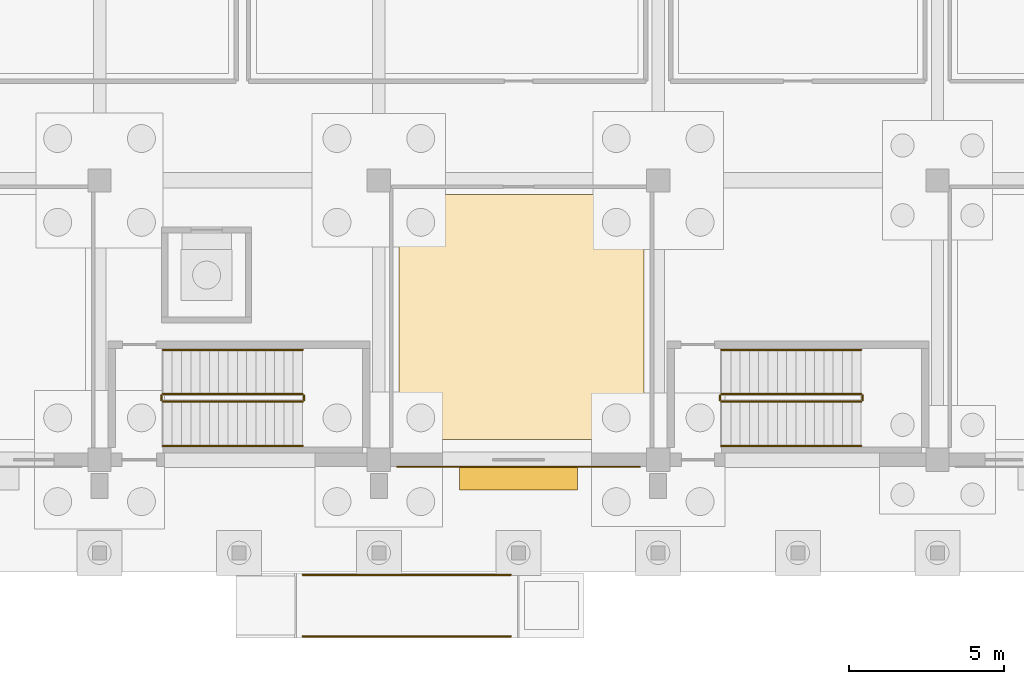
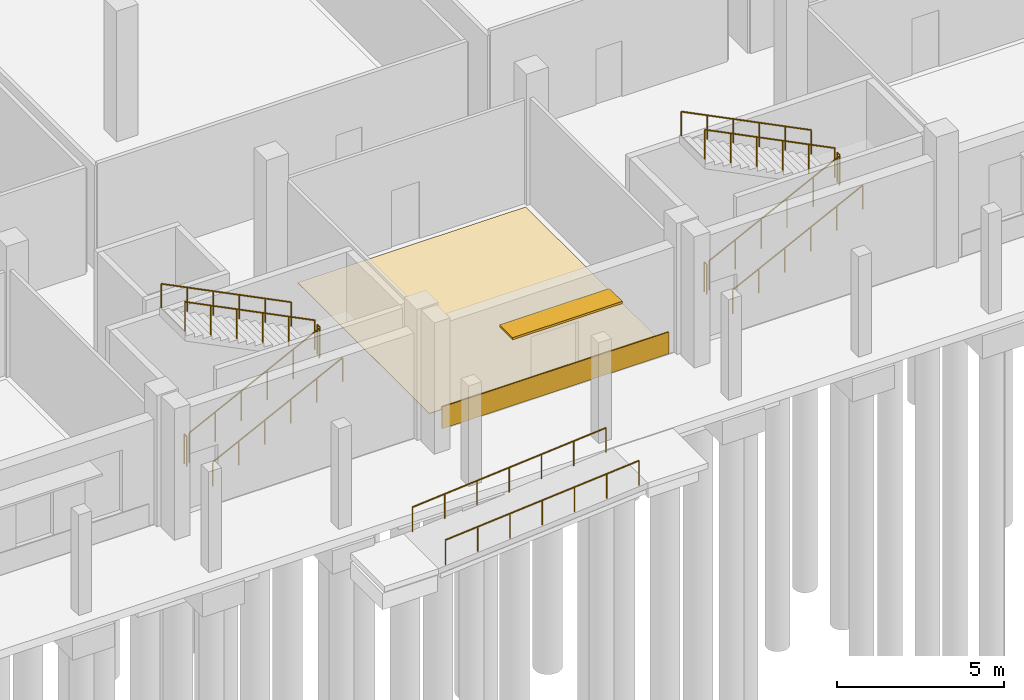
# One storey, part 95 of 112: 14 railings, 2 coverings, 1 shading device.
"""IFC4 building model written with IfcOpenShell, lengths in metres."""

import ifcopenshell
import ifcopenshell.guid

model = None  # the IFC model being written
_history = None  # IfcOwnerHistory: only IFC2X3 demands one
_inside = {}  # id of a spatial element -> (the spatial element, [elements in it])
_under = {}  # id of a project, library or spatial element -> (it, [spatial elements below it])
_declared = {}  # id of a project -> (the project, [libraries it declares])
_typed = {}  # id of a type object -> (the type object, [elements of that type])
_made_of = {}  # id of a material, layer set ... -> (it, [elements and type objects made of it])


def new_model(schema):
    """Start an empty IFC model of exactly this schema.

    Asked for "IFC4X3", IfcOpenShell would pick the latest addendum, in which some entities
    have other attributes; the version numbers below select the first issue.
    IFC2X3 requires an IfcOwnerHistory on every rooted entity: one is made here for all.
    """
    global model, _history
    if schema == "IFC4X3":
        model = ifcopenshell.file(schema_version=(4, 3, 0, 0))
    else:
        model = ifcopenshell.file(schema=schema)
    _inside.clear()
    _under.clear()
    _declared.clear()
    _typed.clear()
    _made_of.clear()
    _history = None
    if model.schema == "IFC2X3":
        org = make("IfcOrganization", Name="unknown")
        user = make(
            "IfcPersonAndOrganization",
            ThePerson=make("IfcPerson", FamilyName="unknown"),
            TheOrganization=org,
        )
        app = make(
            "IfcApplication",
            ApplicationDeveloper=org,
            Version="unknown",
            ApplicationFullName="unknown",
            ApplicationIdentifier="unknown",
        )
        _history = make(
            "IfcOwnerHistory",
            OwningUser=user,
            OwningApplication=app,
            ChangeAction="ADDED",
            CreationDate=0,
        )
    return model


def make(cls, **values):
    """One entity of the class cls with the attributes given. An attribute that is None is left unset."""
    return model.create_entity(
        cls, **{name: value for name, value in values.items() if value is not None}
    )


def rooted(cls, **values):
    """An entity with a GlobalId (a new one), such as an element, a storey or a relation."""
    return make(cls, GlobalId=ifcopenshell.guid.new(), OwnerHistory=_history, **values)


def si_unit(unit_type, name, prefix=None):
    """IfcSIUnit, for example si_unit("LENGTHUNIT", "METRE", prefix="MILLI")."""
    return make("IfcSIUnit", UnitType=unit_type, Prefix=prefix, Name=name)


def assignment(units):
    """IfcUnitAssignment: the units of a project."""
    return None if units is None else make("IfcUnitAssignment", Units=units)


def point(xyz):
    """IfcCartesianPoint."""
    return None if xyz is None else make("IfcCartesianPoint", Coordinates=xyz)


def direction(xyz):
    """IfcDirection."""
    return None if xyz is None else make("IfcDirection", DirectionRatios=xyz)


def frame(location, z_axis=None, x_axis=None):
    """IfcAxis2Placement3D, a coordinate frame: its origin and axes. An axis left out is left unset."""
    return make(
        "IfcAxis2Placement3D",
        Location=point(location),
        Axis=direction(z_axis),
        RefDirection=direction(x_axis),
    )


def frame_2d(location, x_axis=None):
    """IfcAxis2Placement2D, a coordinate frame in the plane: its origin and x axis."""
    return make(
        "IfcAxis2Placement2D", Location=point(location), RefDirection=direction(x_axis)
    )


def origin():
    """The frame at (0, 0, 0) with its axes left unset."""
    return frame((0.0, 0.0, 0.0))


def origin_2d():
    """The frame at (0, 0) in the plane with its x axis left unset."""
    return frame_2d((0.0, 0.0))


def place(relative_to, where):
    """IfcLocalPlacement: puts the frame where relative to a parent placement (None: the world)."""
    return make(
        "IfcLocalPlacement", PlacementRelTo=relative_to, RelativePlacement=where
    )


def context(
    kind, dimensions, precision=None, world=None, true_north=None, identifier=None
):
    """IfcGeometricRepresentationContext, for example the 3D "Model" context."""
    return make(
        "IfcGeometricRepresentationContext",
        ContextIdentifier=identifier,
        ContextType=kind,
        CoordinateSpaceDimension=dimensions,
        Precision=precision,
        WorldCoordinateSystem=world,
        TrueNorth=true_north,
    )


def subcontext(parent, identifier, kind, view, scale=None):
    """IfcGeometricRepresentationSubContext, for example "Body" below "Model"."""
    return make(
        "IfcGeometricRepresentationSubContext",
        ContextIdentifier=identifier,
        ContextType=kind,
        ParentContext=parent,
        TargetScale=scale,
        TargetView=view,
    )


def project(units=None, contexts=None):
    """IfcProject with its units and contexts."""
    return rooted(
        "IfcProject",
        Name="project",
        RepresentationContexts=contexts,
        UnitsInContext=assignment(units),
    )


def spatial(cls, under=None, at=None, **own):
    """A site, building, storey or space (cls), placed at a placement, below another one or the project."""
    s = rooted(cls, ObjectPlacement=at, **own)
    if under is not None:
        _under.setdefault(under.id(), (under, []))[1].append(s)
    return s


def polyline(points):
    """IfcPolyline through the points."""
    return make("IfcPolyline", Points=[point(p) for p in points])


def profile(cls, at=None, kind="AREA", **sizes):
    """A parametric profile (cls). Its sizes go by their IFC names, for example OverallWidth=200.0."""
    return make(cls, ProfileType=kind, Position=at, **sizes)


def rectangle(**sizes):
    """IfcRectangleProfileDef."""
    return profile("IfcRectangleProfileDef", **sizes)


def circle(**sizes):
    """IfcCircleProfileDef."""
    return profile("IfcCircleProfileDef", **sizes)


def outline(outer, holes=None, kind="AREA"):
    """IfcArbitraryClosedProfileDef: a profile drawn as a closed curve; with holes, ...WithVoids."""
    if holes is None:
        return make("IfcArbitraryClosedProfileDef", ProfileType=kind, OuterCurve=outer)
    return make(
        "IfcArbitraryProfileDefWithVoids",
        ProfileType=kind,
        OuterCurve=outer,
        InnerCurves=holes,
    )


def extrude(swept, where, along, depth):
    """IfcExtrudedAreaSolid: the profile swept, set in the frame where, extruded along a direction by depth."""
    return make(
        "IfcExtrudedAreaSolid",
        SweptArea=swept,
        Position=where,
        ExtrudedDirection=direction(along),
        Depth=depth,
    )


def shape(context_of_items, identifier, shape_type, items):
    """IfcShapeRepresentation: the items that make up one representation, for example the "Body"."""
    return make(
        "IfcShapeRepresentation",
        ContextOfItems=context_of_items,
        RepresentationIdentifier=identifier,
        RepresentationType=shape_type,
        Items=items,
    )


def material(Name=None, Category=None):
    """IfcMaterial."""
    return make("IfcMaterial", Name=Name, Category=Category)


def layer(
    of_material, thickness, ventilated=None, Name=None, Category=None, Priority=None
):
    """IfcMaterialLayer: one layer of a wall or slab, of a material (None: an air gap)."""
    return make(
        "IfcMaterialLayer",
        Material=of_material,
        LayerThickness=thickness,
        IsVentilated=ventilated,
        Name=Name,
        Category=Category,
        Priority=Priority,
    )


def layer_set(layers, Name=None):
    """IfcMaterialLayerSet."""
    return make("IfcMaterialLayerSet", MaterialLayers=layers, LayerSetName=Name)


def made_of(thing, what):
    """Note that an element or type object is made of a material, layer set ...; save() writes the relation."""
    if what is not None:
        _made_of.setdefault(what.id(), (what, []))[1].append(thing)
    return thing


def type_object(cls, material=None, **own):
    """A type object (cls), such as IfcWallType, which elements share."""
    return made_of(rooted(cls, **own), material)


def element(
    cls,
    number,
    at=None,
    inside=None,
    cuts=None,
    type_object=None,
    material=None,
    context=None,
    identifier="Body",
    shape_type=None,
    held_by="IfcProductDefinitionShape",
    body=None,
    shapes=None,
    **own,
):
    """One element of the class cls, such as IfcWall. Its Tag is "e" and its number.

    at: its placement. inside: the storey or other place that contains it. cuts: it is an
    opening in that element (IfcRelVoidsElement). A single representation is given by context,
    identifier, shape_type and body (its items); several are given by shapes. held_by: the class
    of the entity that holds the representations. save() writes the other relations.
    """
    e = rooted(cls, Tag="e%d" % number, ObjectPlacement=at, **own)
    if body is not None:
        shapes = [shape(context, identifier, shape_type, body)]
    if shapes is not None:
        e.Representation = make(held_by, Representations=shapes)
    if inside is not None:
        _inside.setdefault(inside.id(), (inside, []))[1].append(e)
    if cuts is not None:
        rooted(
            "IfcRelVoidsElement", RelatingBuildingElement=cuts, RelatedOpeningElement=e
        )
    if type_object is not None:
        _typed.setdefault(type_object.id(), (type_object, []))[1].append(e)
    return made_of(e, material)


def aggregate(whole, parts):
    """IfcRelAggregates: a whole, such as a stair, and the parts it consists of."""
    return rooted("IfcRelAggregates", RelatingObject=whole, RelatedObjects=parts)


def save(model, path):
    """Write the relations noted so far, then the file.

    IfcRelAggregates (storeys below a building ...), IfcRelContainedInSpatialStructure (elements
    in a storey), IfcRelDefinesByType, IfcRelAssociatesMaterial and IfcRelDeclares: one each for
    every whole, place, type object, material and project.
    """
    for whole, parts in _under.values():
        aggregate(whole, parts)
    for where, things in _inside.values():
        rooted(
            "IfcRelContainedInSpatialStructure",
            RelatedElements=things,
            RelatingStructure=where,
        )
    for kind, things in _typed.values():
        rooted("IfcRelDefinesByType", RelatedObjects=things, RelatingType=kind)
    for what, things in _made_of.values():
        rooted("IfcRelAssociatesMaterial", RelatedObjects=things, RelatingMaterial=what)
    for by, libraries in _declared.values():
        rooted("IfcRelDeclares", RelatingContext=by, RelatedDefinitions=libraries)
    model.write(path)


model = new_model("IFC4")

# Units and contexts
model_context = context("Model", 3, precision=1e-05, world=origin(), true_north=direction((0.0, 1.0)))
body_context = subcontext(model_context, "Body", "Model", "MODEL_VIEW")
ifc_project = project(units=[si_unit("LENGTHUNIT", "METRE"), si_unit("AREAUNIT", "SQUARE_METRE"), si_unit("VOLUMEUNIT", "CUBIC_METRE"), si_unit("PLANEANGLEUNIT", "RADIAN"), si_unit("MASSUNIT", "GRAM", prefix="KILO")], contexts=[model_context])

# Site, building, storey
site_placement = place(None, origin())
site = spatial("IfcSite", under=ifc_project, at=site_placement, CompositionType="ELEMENT")
building_placement = place(site_placement, origin())
building = spatial("IfcBuilding", under=site, at=building_placement, Name="Tharagai Park Tramway Depot", CompositionType="ELEMENT")
storey_placement = place(building_placement, origin())
storey = spatial("IfcBuildingStorey", under=building, at=storey_placement, Name="L00", CompositionType="ELEMENT", Elevation=0.0)

# Coverings
ifc_material_1 = material(Name="Charnockite stone", Category="masonry")
ifc_layer_1 = layer(ifc_material_1, 0.0400390625)
ifc_layer_set_1 = layer_set([ifc_layer_1], Name="Charnockite stone")
covering_type_1 = type_object("IfcCoveringType", Name="CV-02", PredefinedType="CLADDING", material=ifc_layer_set_1)
covering_1_placement = place(storey_placement, frame((76.5, -0.22509765625, 0.02001953125), z_axis=(0.0, 0.0, 1.0), x_axis=(1.0, 0.0, 0.0)))
element("IfcCovering", 1, at=covering_1_placement, inside=storey, type_object=covering_type_1, Name="Charnockite Plinth Cladding CV-02 #5", PredefinedType="CLADDING", context=body_context, shape_type="SweptSolid", body=[
    extrude(rectangle(XDim=7.85400390625, YDim=0.0400390625, at=origin_2d()), origin(), (0.0, 0.0, 1.0), 0.800048828125),
])
ifc_material_2 = material(Name="Terracotta floor tile", Category="masonry")
ifc_layer_2 = layer(ifc_material_2, 0.02001953125)
ifc_layer_set_2 = layer_set([ifc_layer_2], Name="Terracotta floor tile")
covering_type_2 = type_object("IfcCoveringType", Name="FN-01", PredefinedType="FLOORING", material=ifc_layer_set_2)
covering_2_placement = place(storey_placement, origin())
element("IfcCovering", 2, at=covering_2_placement, inside=storey, type_object=covering_type_2, Name="Occupational First Aid and Medical Suite Floor Finish", PredefinedType="FLOORING", context=body_context, shape_type="SweptSolid", body=[
    extrude(outline(polyline([(72.64990234375, 0.64990234375), (80.550048828125, 0.64990234375), (80.550048828125, 8.550048828125), (72.64990234375, 8.550048828125), (72.64990234375, 0.64990234375)])), origin(), (0.0, 0.0, 1.0), 0.02001953125),
])

# Railings
ifc_material_3 = material(Name="Galvanised steel", Category="steel")
railing_type_1 = type_object("IfcRailingType", Name="GR-02", PredefinedType="HANDRAIL", material=ifc_material_3)
for number, where, name in (
    (3, (69.550048828125, -3.7099609375, -0.5791015625), "Ramp RMP-02 Handrail L"),
    (4, (69.550048828125, -5.68994140625, -0.5791015625), "Ramp RMP-02 Handrail R"),
):
    element("IfcRailing", number, at=place(storey_placement, frame(where)), inside=storey, type_object=railing_type_1, Name=name, PredefinedType="HANDRAIL", context=body_context, shape_type="SweptSolid", body=[
        extrude(circle(Radius=0.02392578125, at=origin_2d()), frame((0.0, 0.0, 0.89599609375), z_axis=(0.996545507804, 0.0, 0.083048485091), x_axis=(0.0, 1.0, 0.0)), (0.0, 0.0, 1.0), 6.72314453125),
        extrude(circle(Radius=0.02099609375, at=origin_2d()), origin(), (0.0, 0.0, 1.0), 0.871826171875),
        extrude(circle(Radius=0.02099609375, at=origin_2d()), frame((1.11669921875, 0.0, 0.093017578125)), (0.0, 0.0, 1.0), 0.871826171875),
        extrude(circle(Radius=0.02099609375, at=origin_2d()), frame((2.2333984375, 0.0, 0.18603515625)), (0.0, 0.0, 1.0), 0.871826171875),
        extrude(circle(Radius=0.02099609375, at=origin_2d()), frame((3.35009765625, 0.0, 0.279296875)), (0.0, 0.0, 1.0), 0.871826171875),
        extrude(circle(Radius=0.02099609375, at=origin_2d()), frame((4.466552734375, 0.0, 0.372314453125)), (0.0, 0.0, 1.0), 0.871826171875),
        extrude(circle(Radius=0.02099609375, at=origin_2d()), frame((5.583251953125, 0.0, 0.46533203125)), (0.0, 0.0, 1.0), 0.871826171875),
        extrude(circle(Radius=0.02099609375, at=origin_2d()), frame((6.699951171875, 0.0, 0.558349609375)), (0.0, 0.0, 1.0), 0.871826171875),
    ])
railing_type_2 = type_object("IfcRailingType", Name="HR-02", PredefinedType="GUARDRAIL", material=ifc_material_3)
railing_1_placement = place(storey_placement, frame((65.0400390625, 1.8701171875, 0.14990234375)))
element("IfcRailing", 5, at=railing_1_placement, inside=storey, type_object=railing_type_2, Name="L00 ST-04 stair guard 1", PredefinedType="GUARDRAIL", context=body_context, shape_type="SweptSolid", body=[
    extrude(circle(Radius=0.02392578125, at=origin_2d()), frame((0.0, 0.0, 1.076171875), z_axis=(0.894427191, 0.0, 0.4472135955), x_axis=(0.0, 1.0, 0.0)), (0.0, 0.0, 1.0), 5.03125),
    extrude(circle(Radius=0.02099609375, at=origin_2d()), origin(), (0.0, 0.0, 1.0), 1.052001953125),
    extrude(circle(Radius=0.02099609375, at=origin_2d()), frame((0.89990234375, 0.0, 0.449951171875)), (0.0, 0.0, 1.0), 1.052001953125),
    extrude(circle(Radius=0.02099609375, at=origin_2d()), frame((1.800048828125, 0.0, 0.89990234375)), (0.0, 0.0, 1.0), 1.052001953125),
    extrude(circle(Radius=0.02099609375, at=origin_2d()), frame((2.699951171875, 0.0, 1.35009765625)), (0.0, 0.0, 1.0), 1.052001953125),
    extrude(circle(Radius=0.02099609375, at=origin_2d()), frame((3.60009765625, 0.0, 1.800048828125)), (0.0, 0.0, 1.0), 1.052001953125),
    extrude(circle(Radius=0.02099609375, at=origin_2d()), frame((4.5, 0.0, 2.25)), (0.0, 0.0, 1.0), 1.052001953125),
])
railing_2_placement = place(storey_placement, frame((69.590087890625, 1.919921875, 2.39990234375)))
element("IfcRailing", 6, at=railing_2_placement, inside=storey, type_object=railing_type_2, Name="L00 ST-04 stair guard 2", PredefinedType="GUARDRAIL", context=body_context, shape_type="SweptSolid", body=[
    extrude(circle(Radius=0.02392578125, at=origin_2d()), frame((0.0, 0.0, 1.076171875), z_axis=(0.0, 1.0, 0.0), x_axis=(-1.0, 0.0, 0.0)), (0.0, 0.0, 1.0), 0.150146484375),
    extrude(circle(Radius=0.02099609375, at=origin_2d()), origin(), (0.0, 0.0, 1.0), 1.052001953125),
    extrude(circle(Radius=0.02099609375, at=origin_2d()), frame((0.0, 0.150146484375, 0.0)), (0.0, 0.0, 1.0), 1.052001953125),
])
railing_3_placement = place(storey_placement, frame((69.5400390625, 2.1201171875, 2.550048828125)))
element("IfcRailing", 7, at=railing_3_placement, inside=storey, type_object=railing_type_2, Name="L00 ST-04 stair guard 3", PredefinedType="GUARDRAIL", context=body_context, shape_type="SweptSolid", body=[
    extrude(circle(Radius=0.02392578125, at=origin_2d()), frame((0.0, 0.0, 1.076171875), z_axis=(-0.894427191, 0.0, 0.4472135955), x_axis=(0.0, -1.0, 0.0)), (0.0, 0.0, 1.0), 5.03125),
    extrude(circle(Radius=0.02099609375, at=origin_2d()), origin(), (0.0, 0.0, 1.0), 1.052001953125),
    extrude(circle(Radius=0.02099609375, at=origin_2d()), frame((-0.89990234375, 0.0, 0.449951171875)), (0.0, 0.0, 1.0), 1.052001953125),
    extrude(circle(Radius=0.02099609375, at=origin_2d()), frame((-1.800048828125, 0.0, 0.89990234375)), (0.0, 0.0, 1.0), 1.052001953125),
    extrude(circle(Radius=0.02099609375, at=origin_2d()), frame((-2.699951171875, 0.0, 1.35009765625)), (0.0, 0.0, 1.0), 1.052001953125),
    extrude(circle(Radius=0.02099609375, at=origin_2d()), frame((-3.60009765625, 0.0, 1.800048828125)), (0.0, 0.0, 1.0), 1.052001953125),
    extrude(circle(Radius=0.02099609375, at=origin_2d()), frame((-4.5, 0.0, 2.25)), (0.0, 0.0, 1.0), 1.052001953125),
])
railing_4_placement = place(storey_placement, frame((64.989990234375, 1.919921875, 0.0)))
element("IfcRailing", 8, at=railing_4_placement, inside=storey, type_object=railing_type_2, Name="L00 ST-04 stair guard 4", PredefinedType="GUARDRAIL", context=body_context, shape_type="SweptSolid", body=[
    extrude(circle(Radius=0.02392578125, at=origin_2d()), frame((0.0, 0.0, 1.076171875), z_axis=(0.0, 1.0, 0.0), x_axis=(-1.0, 0.0, 0.0)), (0.0, 0.0, 1.0), 0.150146484375),
    extrude(circle(Radius=0.02099609375, at=origin_2d()), origin(), (0.0, 0.0, 1.0), 1.052001953125),
    extrude(circle(Radius=0.02099609375, at=origin_2d()), frame((0.0, 0.150146484375, 0.0)), (0.0, 0.0, 1.0), 1.052001953125),
])
railing_5_placement = place(storey_placement, frame((83.0400390625, 1.8701171875, 0.14990234375)))
element("IfcRailing", 9, at=railing_5_placement, inside=storey, type_object=railing_type_2, Name="L00 ST-05 stair guard 1", PredefinedType="GUARDRAIL", context=body_context, shape_type="SweptSolid", body=[
    extrude(circle(Radius=0.02392578125, at=origin_2d()), frame((0.0, 0.0, 1.076171875), z_axis=(0.894427191, 0.0, 0.4472135955), x_axis=(0.0, 1.0, 0.0)), (0.0, 0.0, 1.0), 5.03125),
    extrude(circle(Radius=0.02099609375, at=origin_2d()), origin(), (0.0, 0.0, 1.0), 1.052001953125),
    extrude(circle(Radius=0.02099609375, at=origin_2d()), frame((0.89990234375, 0.0, 0.449951171875)), (0.0, 0.0, 1.0), 1.052001953125),
    extrude(circle(Radius=0.02099609375, at=origin_2d()), frame((1.800048828125, 0.0, 0.89990234375)), (0.0, 0.0, 1.0), 1.052001953125),
    extrude(circle(Radius=0.02099609375, at=origin_2d()), frame((2.699951171875, 0.0, 1.35009765625)), (0.0, 0.0, 1.0), 1.052001953125),
    extrude(circle(Radius=0.02099609375, at=origin_2d()), frame((3.60009765625, 0.0, 1.800048828125)), (0.0, 0.0, 1.0), 1.052001953125),
    extrude(circle(Radius=0.02099609375, at=origin_2d()), frame((4.5, 0.0, 2.25)), (0.0, 0.0, 1.0), 1.052001953125),
])
railing_6_placement = place(storey_placement, frame((87.590087890625, 1.919921875, 2.39990234375)))
element("IfcRailing", 10, at=railing_6_placement, inside=storey, type_object=railing_type_2, Name="L00 ST-05 stair guard 2", PredefinedType="GUARDRAIL", context=body_context, shape_type="SweptSolid", body=[
    extrude(circle(Radius=0.02392578125, at=origin_2d()), frame((0.0, 0.0, 1.076171875), z_axis=(0.0, 1.0, 0.0), x_axis=(-1.0, 0.0, 0.0)), (0.0, 0.0, 1.0), 0.150146484375),
    extrude(circle(Radius=0.02099609375, at=origin_2d()), origin(), (0.0, 0.0, 1.0), 1.052001953125),
    extrude(circle(Radius=0.02099609375, at=origin_2d()), frame((0.0, 0.150146484375, 0.0)), (0.0, 0.0, 1.0), 1.052001953125),
])
railing_7_placement = place(storey_placement, frame((87.5400390625, 2.1201171875, 2.550048828125)))
element("IfcRailing", 11, at=railing_7_placement, inside=storey, type_object=railing_type_2, Name="L00 ST-05 stair guard 3", PredefinedType="GUARDRAIL", context=body_context, shape_type="SweptSolid", body=[
    extrude(circle(Radius=0.02392578125, at=origin_2d()), frame((0.0, 0.0, 1.076171875), z_axis=(-0.894427191, 0.0, 0.4472135955), x_axis=(0.0, -1.0, 0.0)), (0.0, 0.0, 1.0), 5.03125),
    extrude(circle(Radius=0.02099609375, at=origin_2d()), origin(), (0.0, 0.0, 1.0), 1.052001953125),
    extrude(circle(Radius=0.02099609375, at=origin_2d()), frame((-0.89990234375, 0.0, 0.449951171875)), (0.0, 0.0, 1.0), 1.052001953125),
    extrude(circle(Radius=0.02099609375, at=origin_2d()), frame((-1.800048828125, 0.0, 0.89990234375)), (0.0, 0.0, 1.0), 1.052001953125),
    extrude(circle(Radius=0.02099609375, at=origin_2d()), frame((-2.699951171875, 0.0, 1.35009765625)), (0.0, 0.0, 1.0), 1.052001953125),
    extrude(circle(Radius=0.02099609375, at=origin_2d()), frame((-3.60009765625, 0.0, 1.800048828125)), (0.0, 0.0, 1.0), 1.052001953125),
    extrude(circle(Radius=0.02099609375, at=origin_2d()), frame((-4.5, 0.0, 2.25)), (0.0, 0.0, 1.0), 1.052001953125),
])
railing_8_placement = place(storey_placement, frame((82.989990234375, 1.919921875, 0.0)))
element("IfcRailing", 12, at=railing_8_placement, inside=storey, type_object=railing_type_2, Name="L00 ST-05 stair guard 4", PredefinedType="GUARDRAIL", context=body_context, shape_type="SweptSolid", body=[
    extrude(circle(Radius=0.02392578125, at=origin_2d()), frame((0.0, 0.0, 1.076171875), z_axis=(0.0, 1.0, 0.0), x_axis=(-1.0, 0.0, 0.0)), (0.0, 0.0, 1.0), 0.150146484375),
    extrude(circle(Radius=0.02099609375, at=origin_2d()), origin(), (0.0, 0.0, 1.0), 1.052001953125),
    extrude(circle(Radius=0.02099609375, at=origin_2d()), frame((0.0, 0.150146484375, 0.0)), (0.0, 0.0, 1.0), 1.052001953125),
])
railing_type_3 = type_object("IfcRailingType", Name="HR-03", PredefinedType="HANDRAIL", material=ifc_material_3)
railing_9_placement = place(storey_placement, frame((65.0400390625, 0.449951171875, 0.14990234375)))
element("IfcRailing", 13, at=railing_9_placement, inside=storey, type_object=railing_type_3, Name="L00 ST-04 stair handrail 1", PredefinedType="HANDRAIL", context=body_context, shape_type="SweptSolid", body=[
    extrude(circle(Radius=0.02392578125, at=origin_2d()), frame((0.0, 0.0, 0.8759765625), z_axis=(0.894427191, 0.0, 0.4472135955), x_axis=(0.0, 1.0, 0.0)), (0.0, 0.0, 1.0), 5.03125),
    extrude(circle(Radius=0.02099609375, at=origin_2d()), origin(), (0.0, 0.0, 1.0), 0.851806640625),
    extrude(circle(Radius=0.02099609375, at=origin_2d()), frame((0.89990234375, 0.0, 0.449951171875)), (0.0, 0.0, 1.0), 0.851806640625),
    extrude(circle(Radius=0.02099609375, at=origin_2d()), frame((1.800048828125, 0.0, 0.89990234375)), (0.0, 0.0, 1.0), 0.851806640625),
    extrude(circle(Radius=0.02099609375, at=origin_2d()), frame((2.699951171875, 0.0, 1.35009765625)), (0.0, 0.0, 1.0), 0.851806640625),
    extrude(circle(Radius=0.02099609375, at=origin_2d()), frame((3.60009765625, 0.0, 1.800048828125)), (0.0, 0.0, 1.0), 0.851806640625),
    extrude(circle(Radius=0.02099609375, at=origin_2d()), frame((4.5, 0.0, 2.25)), (0.0, 0.0, 1.0), 0.851806640625),
])
railing_10_placement = place(storey_placement, frame((69.5400390625, 3.5400390625, 2.550048828125)))
element("IfcRailing", 14, at=railing_10_placement, inside=storey, type_object=railing_type_3, Name="L00 ST-04 stair handrail 2", PredefinedType="HANDRAIL", context=body_context, shape_type="SweptSolid", body=[
    extrude(circle(Radius=0.02392578125, at=origin_2d()), frame((0.0, 0.0, 0.8759765625), z_axis=(-0.894427191, 0.0, 0.4472135955), x_axis=(0.0, -1.0, 0.0)), (0.0, 0.0, 1.0), 5.03125),
    extrude(circle(Radius=0.02099609375, at=origin_2d()), origin(), (0.0, 0.0, 1.0), 0.851806640625),
    extrude(circle(Radius=0.02099609375, at=origin_2d()), frame((-0.89990234375, 0.0, 0.449951171875)), (0.0, 0.0, 1.0), 0.851806640625),
    extrude(circle(Radius=0.02099609375, at=origin_2d()), frame((-1.800048828125, 0.0, 0.89990234375)), (0.0, 0.0, 1.0), 0.851806640625),
    extrude(circle(Radius=0.02099609375, at=origin_2d()), frame((-2.699951171875, 0.0, 1.35009765625)), (0.0, 0.0, 1.0), 0.851806640625),
    extrude(circle(Radius=0.02099609375, at=origin_2d()), frame((-3.60009765625, 0.0, 1.800048828125)), (0.0, 0.0, 1.0), 0.851806640625),
    extrude(circle(Radius=0.02099609375, at=origin_2d()), frame((-4.5, 0.0, 2.25)), (0.0, 0.0, 1.0), 0.851806640625),
])
railing_11_placement = place(storey_placement, frame((83.0400390625, 0.449951171875, 0.14990234375)))
element("IfcRailing", 15, at=railing_11_placement, inside=storey, type_object=railing_type_3, Name="L00 ST-05 stair handrail 1", PredefinedType="HANDRAIL", context=body_context, shape_type="SweptSolid", body=[
    extrude(circle(Radius=0.02392578125, at=origin_2d()), frame((0.0, 0.0, 0.8759765625), z_axis=(0.894427191, 0.0, 0.4472135955), x_axis=(0.0, 1.0, 0.0)), (0.0, 0.0, 1.0), 5.03125),
    extrude(circle(Radius=0.02099609375, at=origin_2d()), origin(), (0.0, 0.0, 1.0), 0.851806640625),
    extrude(circle(Radius=0.02099609375, at=origin_2d()), frame((0.89990234375, 0.0, 0.449951171875)), (0.0, 0.0, 1.0), 0.851806640625),
    extrude(circle(Radius=0.02099609375, at=origin_2d()), frame((1.800048828125, 0.0, 0.89990234375)), (0.0, 0.0, 1.0), 0.851806640625),
    extrude(circle(Radius=0.02099609375, at=origin_2d()), frame((2.699951171875, 0.0, 1.35009765625)), (0.0, 0.0, 1.0), 0.851806640625),
    extrude(circle(Radius=0.02099609375, at=origin_2d()), frame((3.60009765625, 0.0, 1.800048828125)), (0.0, 0.0, 1.0), 0.851806640625),
    extrude(circle(Radius=0.02099609375, at=origin_2d()), frame((4.5, 0.0, 2.25)), (0.0, 0.0, 1.0), 0.851806640625),
])
railing_12_placement = place(storey_placement, frame((87.5400390625, 3.5400390625, 2.550048828125)))
element("IfcRailing", 16, at=railing_12_placement, inside=storey, type_object=railing_type_3, Name="L00 ST-05 stair handrail 2", PredefinedType="HANDRAIL", context=body_context, shape_type="SweptSolid", body=[
    extrude(circle(Radius=0.02392578125, at=origin_2d()), frame((0.0, 0.0, 0.8759765625), z_axis=(-0.894427191, 0.0, 0.4472135955), x_axis=(0.0, -1.0, 0.0)), (0.0, 0.0, 1.0), 5.03125),
    extrude(circle(Radius=0.02099609375, at=origin_2d()), origin(), (0.0, 0.0, 1.0), 0.851806640625),
    extrude(circle(Radius=0.02099609375, at=origin_2d()), frame((-0.89990234375, 0.0, 0.449951171875)), (0.0, 0.0, 1.0), 0.851806640625),
    extrude(circle(Radius=0.02099609375, at=origin_2d()), frame((-1.800048828125, 0.0, 0.89990234375)), (0.0, 0.0, 1.0), 0.851806640625),
    extrude(circle(Radius=0.02099609375, at=origin_2d()), frame((-2.699951171875, 0.0, 1.35009765625)), (0.0, 0.0, 1.0), 0.851806640625),
    extrude(circle(Radius=0.02099609375, at=origin_2d()), frame((-3.60009765625, 0.0, 1.800048828125)), (0.0, 0.0, 1.0), 0.851806640625),
    extrude(circle(Radius=0.02099609375, at=origin_2d()), frame((-4.5, 0.0, 2.25)), (0.0, 0.0, 1.0), 0.851806640625),
])

# Shading device
ifc_material_4 = material(Name="Anodised aluminium", Category="aluminium")
ifc_layer_3 = layer(ifc_material_4, 0.080078125)
ifc_layer_set_3 = layer_set([ifc_layer_3], Name="Anodised aluminium")
shading_device_type = type_object("IfcShadingDeviceType", Name="SD-04", PredefinedType="AWNING", material=ifc_layer_set_3)
shading_device_placement = place(storey_placement, frame((76.5, -0.580078125, 3.010009765625), z_axis=(0.0, 0.0, 1.0), x_axis=(1.0, 0.0, 0.0)))
element("IfcShadingDevice", 17, at=shading_device_placement, inside=storey, type_object=shading_device_type, Name="Entrance Monsoon Canopy Awning SD-04 #5", PredefinedType="AWNING", context=body_context, shape_type="SweptSolid", body=[
    extrude(rectangle(XDim=3.800048828125, YDim=0.780029296875, at=origin_2d()), origin(), (0.0, 0.0, 1.0), 0.080078125),
])

save(model, "model.ifc")
